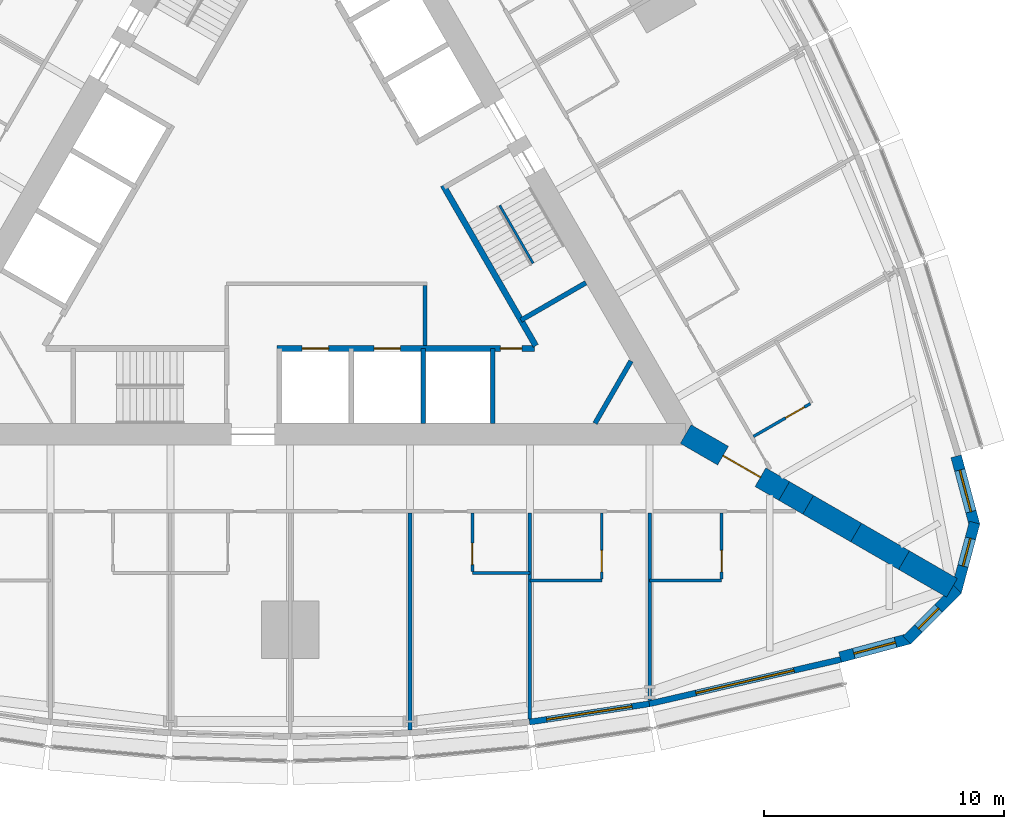
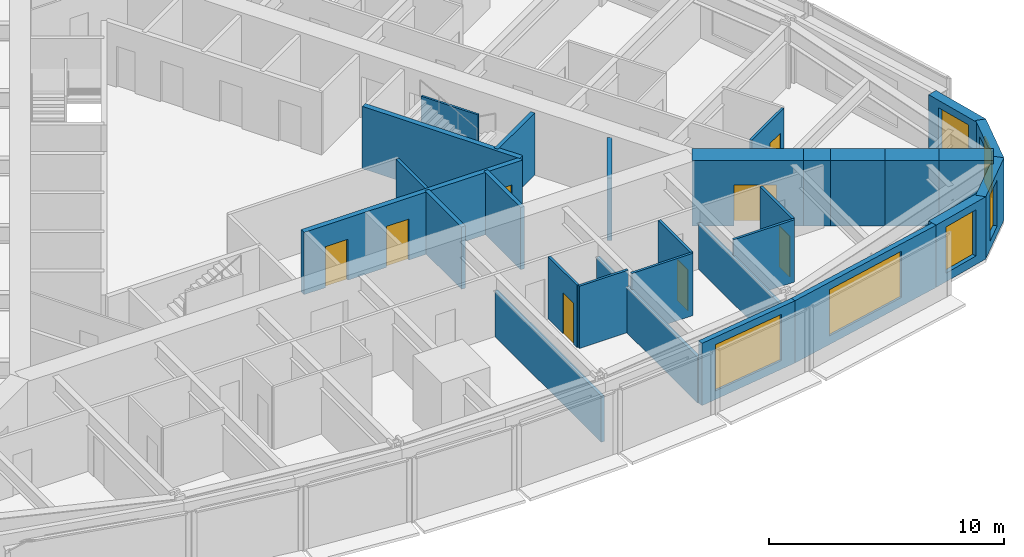
# One storey, part 10 of 14: 29 walls, 8 doors, 6 windows, 14 openings.
"""IFC4 building model written with IfcOpenShell, lengths in metres."""

from ifc_helpers import new_model, si_unit, direction, frame, frame_2d, origin, place, context, subcontext, project, spatial, polyline, rectangle, outline, extrude, material, layer, layer_set, type_object, element, fill, save


model = new_model("IFC4")

# Units and contexts
model_context = context("Model", 3, precision=1e-05, world=origin(), true_north=direction((0.0, 1.0)))
body_context = subcontext(model_context, "Body", "Model", "MODEL_VIEW")
ifc_project = project(units=[si_unit("LENGTHUNIT", "METRE"), si_unit("AREAUNIT", "SQUARE_METRE"), si_unit("VOLUMEUNIT", "CUBIC_METRE"), si_unit("PLANEANGLEUNIT", "RADIAN"), si_unit("MASSUNIT", "GRAM", prefix="KILO")], contexts=[model_context])

# Site, building, storey
site_placement = place(None, origin())
site = spatial("IfcSite", under=ifc_project, at=site_placement, CompositionType="ELEMENT")
building_placement = place(site_placement, origin())
building = spatial("IfcBuilding", under=site, at=building_placement, Name="Trikona Tower", CompositionType="ELEMENT")
storey_placement = place(building_placement, frame((0.0, 0.0, 35.300048828125)))
storey = spatial("IfcBuildingStorey", under=building, at=storey_placement, Name="L07", CompositionType="ELEMENT", Elevation=35.300048828125)

# Wall
ifc_material_1 = material(Name="Metal stud and cement board", Category="gypsum")
ifc_layer_1 = layer(ifc_material_1, 0.1201171875)
ifc_layer_set_1 = layer_set([ifc_layer_1], Name="Bathroom wall 120")
wall_type_1 = type_object("IfcWallType", Name="Bathroom wall 120", PredefinedType="PLUMBINGWALL", material=ifc_layer_set_1)
wall_1_placement = place(storey_placement, frame((7.60009765625, -15.326416015625, 0.0), z_axis=(0.0, 0.0, 1.0), x_axis=(1.0, 0.0, 0.0)))
element("IfcWall", 1, at=wall_1_placement, inside=storey, type_object=wall_type_1, Name="Bathroom wall 0704", PredefinedType="PLUMBINGWALL", context=body_context, shape_type="SweptSolid", body=[
    extrude(rectangle(XDim=2.39990234375, YDim=0.1201171875, at=frame_2d((1.199951171875, 0.0))), origin(), (0.0, 0.0, 1.0), 3.23486328125),
])

# Wall, opening, door
wall_2_placement = place(storey_placement, frame((7.60009765625, -12.826416015625, 0.0), z_axis=(0.0, 0.0, 1.0), x_axis=(0.0, -1.0, 0.0)))
wall_2 = element("IfcWall", 2, at=wall_2_placement, inside=storey, type_object=wall_type_1, Name="Bathroom wall 0704", PredefinedType="PLUMBINGWALL", context=body_context, shape_type="SweptSolid", body=[
    extrude(rectangle(XDim=2.43994140625, YDim=0.1201171875, at=frame_2d((1.219970703125, 0.0))), origin(), (0.0, 0.0, 1.0), 3.23486328125),
])
opening_1_placement = place(wall_2_placement, frame((1.25, 0.0, 0.0)))
opening_1 = element("IfcOpeningElement", 3, at=opening_1_placement, cuts=wall_2, Name="Opening D2", PredefinedType="OPENING", context=body_context, shape_type="SweptSolid", body=[
    extrude(rectangle(XDim=0.89990234375, YDim=2.1298828125, at=frame_2d((0.449951171875, 1.06494140625))), frame((0.0, 0.070068359375, 0.0), z_axis=(0.0, -1.0, 0.0), x_axis=(1.0, 0.0, 0.0)), (0.0, 0.0, 1.0), 0.14013671875),
])
ifc_material_2 = material(Name="Steel door frame with solid-core timber leaf", Category="steel")
door_type_1 = type_object("IfcDoorType", Name="Bathroom door 900x2130", OperationType="SLIDING_TO_LEFT", PredefinedType="DOOR", material=ifc_material_2)
door_1_placement = place(opening_1_placement, origin())
door_1 = element("IfcDoor", 4, at=door_1_placement, inside=storey, type_object=door_type_1, Name="Bathroom door 0704", OperationType="SLIDING_TO_LEFT", OverallHeight=2.1298828125, OverallWidth=0.89990234375, PredefinedType="DOOR", context=body_context, shape_type="SweptSolid", body=[
    extrude(rectangle(XDim=0.89990234375, YDim=2.1298828125, at=frame_2d((0.449951171875, 1.06494140625))), frame((0.0, 0.02490234375, 0.0), z_axis=(0.0, -1.0, 0.0), x_axis=(1.0, 0.0, 0.0)), (0.0, 0.0, 1.0), 0.050048828125),
])
fill(opening_1, door_1)

# Wall
wall_3_placement = place(storey_placement, frame((10.0, -15.626220703125, 0.0), z_axis=(0.0, 0.0, 1.0), x_axis=(1.0, 0.0, 0.0)))
element("IfcWall", 5, at=wall_3_placement, inside=storey, type_object=wall_type_1, Name="Bathroom wall 0705", PredefinedType="PLUMBINGWALL", context=body_context, shape_type="SweptSolid", body=[
    extrude(rectangle(XDim=3.0, YDim=0.1201171875, at=frame_2d((1.5, 0.0))), origin(), (0.0, 0.0, 1.0), 3.23486328125),
])

# Wall, opening, door
wall_4_placement = place(storey_placement, frame((13.0, -12.826416015625, 0.0), z_axis=(0.0, 0.0, 1.0), x_axis=(0.0, -1.0, 0.0)))
wall_4 = element("IfcWall", 6, at=wall_4_placement, inside=storey, type_object=wall_type_1, Name="Bathroom wall 0705", PredefinedType="PLUMBINGWALL", context=body_context, shape_type="SweptSolid", body=[
    extrude(rectangle(XDim=2.739990234375, YDim=0.1201171875, at=frame_2d((1.3701171875, 0.0))), origin(), (0.0, 0.0, 1.0), 3.23486328125),
])
opening_2_placement = place(wall_4_placement, frame((1.550048828125, 0.0, 0.0)))
opening_2 = element("IfcOpeningElement", 7, at=opening_2_placement, cuts=wall_4, Name="Opening D2", PredefinedType="OPENING", context=body_context, shape_type="SweptSolid", body=[
    extrude(rectangle(XDim=0.89990234375, YDim=2.1298828125, at=frame_2d((0.449951171875, 1.06494140625))), frame((0.0, 0.070068359375, 0.0), z_axis=(0.0, -1.0, 0.0), x_axis=(1.0, 0.0, 0.0)), (0.0, 0.0, 1.0), 0.14013671875),
])
door_2_placement = place(opening_2_placement, origin())
door_2 = element("IfcDoor", 8, at=door_2_placement, inside=storey, type_object=door_type_1, Name="Bathroom door 0705", OperationType="SLIDING_TO_LEFT", OverallHeight=2.1298828125, OverallWidth=0.89990234375, PredefinedType="DOOR", context=body_context, shape_type="SweptSolid", body=[
    extrude(rectangle(XDim=0.89990234375, YDim=2.1298828125, at=frame_2d((0.449951171875, 1.06494140625))), frame((0.0, 0.02490234375, 0.0), z_axis=(0.0, -1.0, 0.0), x_axis=(1.0, 0.0, 0.0)), (0.0, 0.0, 1.0), 0.050048828125),
])
fill(opening_2, door_2)

# Wall
wall_5_placement = place(storey_placement, frame((15.0, -15.626220703125, 0.0), z_axis=(0.0, 0.0, 1.0), x_axis=(1.0, 0.0, 0.0)))
element("IfcWall", 9, at=wall_5_placement, inside=storey, type_object=wall_type_1, Name="Bathroom wall 0706", PredefinedType="PLUMBINGWALL", context=body_context, shape_type="SweptSolid", body=[
    extrude(rectangle(XDim=3.0, YDim=0.1201171875, at=frame_2d((1.5, 0.0))), origin(), (0.0, 0.0, 1.0), 3.23486328125),
])

# Wall, opening, door
wall_6_placement = place(storey_placement, frame((18.0, -12.826416015625, 0.0), z_axis=(0.0, 0.0, 1.0), x_axis=(0.0, -1.0, 0.0)))
wall_6 = element("IfcWall", 10, at=wall_6_placement, inside=storey, type_object=wall_type_1, Name="Bathroom wall 0706", PredefinedType="PLUMBINGWALL", context=body_context, shape_type="SweptSolid", body=[
    extrude(rectangle(XDim=2.739990234375, YDim=0.1201171875, at=frame_2d((1.3701171875, 0.0))), origin(), (0.0, 0.0, 1.0), 3.23486328125),
])
opening_3_placement = place(wall_6_placement, frame((1.550048828125, 0.0, 0.0)))
opening_3 = element("IfcOpeningElement", 11, at=opening_3_placement, cuts=wall_6, Name="Opening D2", PredefinedType="OPENING", context=body_context, shape_type="SweptSolid", body=[
    extrude(rectangle(XDim=0.89990234375, YDim=2.1298828125, at=frame_2d((0.449951171875, 1.06494140625))), frame((0.0, 0.070068359375, 0.0), z_axis=(0.0, -1.0, 0.0), x_axis=(1.0, 0.0, 0.0)), (0.0, 0.0, 1.0), 0.14013671875),
])
door_3_placement = place(opening_3_placement, origin())
door_3 = element("IfcDoor", 12, at=door_3_placement, inside=storey, type_object=door_type_1, Name="Bathroom door 0706", OperationType="SLIDING_TO_LEFT", OverallHeight=2.1298828125, OverallWidth=0.89990234375, PredefinedType="DOOR", context=body_context, shape_type="SweptSolid", body=[
    extrude(rectangle(XDim=0.89990234375, YDim=2.1298828125, at=frame_2d((0.449951171875, 1.06494140625))), frame((0.0, 0.02490234375, 0.0), z_axis=(0.0, -1.0, 0.0), x_axis=(1.0, 0.0, 0.0)), (0.0, 0.0, 1.0), 0.050048828125),
])
fill(opening_3, door_3)

wall_7_placement = place(storey_placement, frame((19.32861328125, -9.625244140625, 0.0), z_axis=(0.0, 0.0, 1.0), x_axis=(0.866035715982, 0.499982138324, 0.0)))
wall_7 = element("IfcWall", 13, at=wall_7_placement, inside=storey, type_object=wall_type_1, Name="Bathroom wall 0707", PredefinedType="PLUMBINGWALL", context=body_context, shape_type="SweptSolid", body=[
    extrude(rectangle(XDim=2.73974609375, YDim=0.1201171875, at=frame_2d((1.369873046875, 0.0))), origin(), (0.0, 0.0, 1.0), 3.23486328125),
])
opening_4_placement = place(wall_7_placement, frame((1.550048828125, 0.0, 0.0)))
opening_4 = element("IfcOpeningElement", 14, at=opening_4_placement, cuts=wall_7, Name="Opening D2", PredefinedType="OPENING", context=body_context, shape_type="SweptSolid", body=[
    extrude(rectangle(XDim=0.89990234375, YDim=2.1298828125, at=frame_2d((0.449951171875, 1.06494140625))), frame((0.0, 0.070068359375, 0.0), z_axis=(0.0, -1.0, 0.0), x_axis=(1.0, 0.0, 0.0)), (0.0, 0.0, 1.0), 0.14013671875),
])
door_4_placement = place(opening_4_placement, origin())
door_4 = element("IfcDoor", 15, at=door_4_placement, inside=storey, type_object=door_type_1, Name="Bathroom door 0707", OperationType="SLIDING_TO_LEFT", OverallHeight=2.1298828125, OverallWidth=0.89990234375, PredefinedType="DOOR", context=body_context, shape_type="SweptSolid", body=[
    extrude(rectangle(XDim=0.89990234375, YDim=2.1298828125, at=frame_2d((0.449951171875, 1.06494140625))), frame((0.0, 0.02490234375, 0.0), z_axis=(0.0, -1.0, 0.0), x_axis=(1.0, 0.0, 0.0)), (0.0, 0.0, 1.0), 0.050048828125),
])
fill(opening_4, door_4)

# Wall, opening, window
ifc_material_3 = material(Name="Brick-faced precast concrete", Category="masonry")
ifc_layer_2 = layer(ifc_material_3, 0.449951171875)
ifc_layer_set_2 = layer_set([ifc_layer_2], Name="Brick-faced corner wall 450")
wall_type_2 = type_object("IfcWallType", Name="Brick-faced corner wall 450", PredefinedType="SOLIDWALL", material=ifc_layer_set_2)
wall_8_placement = place(storey_placement, frame((22.94189453125, -18.835205078125, 0.0), z_axis=(0.0, 0.0, 1.0), x_axis=(0.965930548995, 0.258801419081, 0.0)))
wall_8 = element("IfcWall", 16, at=wall_8_placement, inside=storey, type_object=wall_type_2, Name="External wall L07-08", PredefinedType="SOLIDWALL", context=body_context, shape_type="SweptSolid", body=[
    extrude(rectangle(XDim=2.988525390625, YDim=0.449951171875, at=frame_2d((1.494140625, 0.0))), origin(), (0.0, 0.0, 1.0), 3.23486328125),
])
opening_5_placement = place(wall_8_placement, frame((0.59423828125, 0.0, 0.449951171875)))
opening_5 = element("IfcOpeningElement", 17, at=opening_5_placement, cuts=wall_8, Name="Opening W1824", PredefinedType="OPENING", context=body_context, shape_type="SweptSolid", body=[
    extrude(rectangle(XDim=1.800048828125, YDim=2.39990234375, at=frame_2d((0.89990234375, 1.199951171875))), frame((0.0, 0.23486328125, 0.0), z_axis=(0.0, -1.0, 0.0), x_axis=(1.0, 0.0, 0.0)), (0.0, 0.0, 1.0), 0.469970703125),
])
ifc_material_4 = material(Name="Aluminium-framed double glazing", Category="aluminium")
window_type_1 = type_object("IfcWindowType", Name="Window 1800x2400", PartitioningType="SINGLE_PANEL", PredefinedType="WINDOW", material=ifc_material_4)
window_1_placement = place(opening_5_placement, origin())
window_1 = element("IfcWindow", 18, at=window_1_placement, inside=storey, type_object=window_type_1, Name="Window 0706", OverallHeight=2.39990234375, OverallWidth=1.800048828125, PartitioningType="SINGLE_PANEL", PredefinedType="WINDOW", context=body_context, shape_type="SweptSolid", body=[
    extrude(rectangle(XDim=1.800048828125, YDim=2.39990234375, at=frame_2d((0.89990234375, 1.199951171875))), frame((0.0, 0.030029296875, 0.0), z_axis=(0.0, -1.0, 0.0), x_axis=(1.0, 0.0, 0.0)), (0.0, 0.0, 1.0), 0.06005859375),
])
fill(opening_5, window_1)

wall_9_placement = place(storey_placement, frame((25.727783203125, -18.1201171875, 0.0), z_axis=(0.0, 0.0, 1.0), x_axis=(0.707025086683, 0.707188466253, 0.0)))
wall_9 = element("IfcWall", 19, at=wall_9_placement, inside=storey, type_object=wall_type_2, Name="External wall L07-09", PredefinedType="SOLIDWALL", context=body_context, shape_type="SweptSolid", body=[
    extrude(outline(polyline([(2.988525390625, 0.22509765625), (2.929931640625, 0.22509765625), (2.4375, 0.093017578125), (2.402099609375, 0.22509765625), (0.0, 0.22509765625), (0.0, -0.22509765625), (2.988525390625, -0.22509765625), (2.988525390625, 0.22509765625)])), origin(), (0.0, 0.0, 1.0), 3.23486328125),
])
opening_6_placement = place(wall_9_placement, frame((0.676025390625, 0.0, 0.449951171875)))
opening_6 = element("IfcOpeningElement", 20, at=opening_6_placement, cuts=wall_9, Name="Opening W1224", PredefinedType="OPENING", context=body_context, shape_type="SweptSolid", body=[
    extrude(rectangle(XDim=1.199951171875, YDim=2.39990234375, at=frame_2d((0.60009765625, 1.199951171875))), frame((0.0, 0.23486328125, 0.0), z_axis=(0.0, -1.0, 0.0), x_axis=(1.0, 0.0, 0.0)), (0.0, 0.0, 1.0), 0.469970703125),
])
ifc_material_5 = material(Name="Aluminium-framed double glazing", Category="aluminium")
window_type_2 = type_object("IfcWindowType", Name="Window 1200x2400", PartitioningType="SINGLE_PANEL", PredefinedType="WINDOW", material=ifc_material_5)
window_2_placement = place(opening_6_placement, origin())
window_2 = element("IfcWindow", 21, at=window_2_placement, inside=storey, type_object=window_type_2, Name="Window 0706", OverallHeight=2.39990234375, OverallWidth=1.199951171875, PartitioningType="SINGLE_PANEL", PredefinedType="WINDOW", context=body_context, shape_type="SweptSolid", body=[
    extrude(rectangle(XDim=1.199951171875, YDim=2.39990234375, at=frame_2d((0.60009765625, 1.199951171875))), frame((0.0, 0.030029296875, 0.0), z_axis=(0.0, -1.0, 0.0), x_axis=(1.0, 0.0, 0.0)), (0.0, 0.0, 1.0), 0.06005859375),
])
fill(opening_6, window_2)

wall_10_placement = place(storey_placement, frame((27.78271484375, -16.107666015625, 0.0), z_axis=(0.0, 0.0, 1.0), x_axis=(0.258801419081, 0.965930548995, 0.0)))
wall_10 = element("IfcWall", 22, at=wall_10_placement, inside=storey, type_object=wall_type_2, Name="External wall L07-10", PredefinedType="SOLIDWALL", context=body_context, shape_type="SweptSolid", body=[
    extrude(outline(polyline([(2.988525390625, 0.22509765625), (0.58642578125, 0.22509765625), (0.55126953125, 0.09326171875), (0.0595703125, 0.22509765625), (0.0, 0.22509765625), (0.0, -0.22509765625), (2.988525390625, -0.22509765625), (2.988525390625, 0.22509765625)])), origin(), (0.0, 0.0, 1.0), 3.23486328125),
])
opening_7_placement = place(wall_10_placement, frame((1.112548828125, 0.0, 0.449951171875)))
opening_7 = element("IfcOpeningElement", 23, at=opening_7_placement, cuts=wall_10, Name="Opening W1224", PredefinedType="OPENING", context=body_context, shape_type="SweptSolid", body=[
    extrude(rectangle(XDim=1.199951171875, YDim=2.39990234375, at=frame_2d((0.60009765625, 1.199951171875))), frame((0.0, 0.23486328125, 0.0), z_axis=(0.0, -1.0, 0.0), x_axis=(1.0, 0.0, 0.0)), (0.0, 0.0, 1.0), 0.469970703125),
])
window_3_placement = place(opening_7_placement, origin())
window_3 = element("IfcWindow", 24, at=window_3_placement, inside=storey, type_object=window_type_2, Name="Window 0707", OverallHeight=2.39990234375, OverallWidth=1.199951171875, PartitioningType="SINGLE_PANEL", PredefinedType="WINDOW", context=body_context, shape_type="SweptSolid", body=[
    extrude(rectangle(XDim=1.199951171875, YDim=2.39990234375, at=frame_2d((0.60009765625, 1.199951171875))), frame((0.0, 0.030029296875, 0.0), z_axis=(0.0, -1.0, 0.0), x_axis=(1.0, 0.0, 0.0)), (0.0, 0.0, 1.0), 0.06005859375),
])
fill(opening_7, window_3)

wall_11_placement = place(storey_placement, frame((28.55615234375, -13.33740234375, 0.0), z_axis=(0.0, 0.0, 1.0), x_axis=(-0.258780998834, 0.965936019953, 0.0)))
wall_11 = element("IfcWall", 25, at=wall_11_placement, inside=storey, type_object=wall_type_2, Name="External wall L07-11", PredefinedType="SOLIDWALL", context=body_context, shape_type="SweptSolid", body=[
    extrude(rectangle(XDim=2.98876953125, YDim=0.449951171875, at=frame_2d((1.494384765625, 0.0))), origin(), (0.0, 0.0, 1.0), 3.23486328125),
])
opening_8_placement = place(wall_11_placement, frame((0.59423828125, 0.0, 0.449951171875)))
opening_8 = element("IfcOpeningElement", 26, at=opening_8_placement, cuts=wall_11, Name="Opening W1824", PredefinedType="OPENING", context=body_context, shape_type="SweptSolid", body=[
    extrude(rectangle(XDim=1.800048828125, YDim=2.39990234375, at=frame_2d((0.89990234375, 1.199951171875))), frame((0.0, 0.23486328125, 0.0), z_axis=(0.0, -1.0, 0.0), x_axis=(1.0, 0.0, 0.0)), (0.0, 0.0, 1.0), 0.469970703125),
])
window_4_placement = place(opening_8_placement, origin())
window_4 = element("IfcWindow", 27, at=window_4_placement, inside=storey, type_object=window_type_1, Name="Window 0707", OverallHeight=2.39990234375, OverallWidth=1.800048828125, PartitioningType="SINGLE_PANEL", PredefinedType="WINDOW", context=body_context, shape_type="SweptSolid", body=[
    extrude(rectangle(XDim=1.800048828125, YDim=2.39990234375, at=frame_2d((0.89990234375, 1.199951171875))), frame((0.0, 0.030029296875, 0.0), z_axis=(0.0, -1.0, 0.0), x_axis=(1.0, 0.0, 0.0)), (0.0, 0.0, 1.0), 0.06005859375),
])
fill(opening_8, window_4)

# Wall, opening, door
ifc_material_6 = material(Name="Concrete f'c 10000 psi", Category="concrete")
ifc_layer_3 = layer(ifc_material_6, 0.89990234375)
ifc_layer_set_3 = layer_set([ifc_layer_3], Name="Buttress wall 900")
wall_type_3 = type_object("IfcWallType", Name="Buttress wall 900", PredefinedType="SHEAR", material=ifc_layer_set_3)
wall_12_placement = place(storey_placement, frame((16.5, -9.5263671875, 0.0), z_axis=(0.0, 0.0, 1.0), x_axis=(0.866031398331, -0.499989616998, 0.0)))
wall_12 = element("IfcWall", 28, at=wall_12_placement, inside=storey, type_object=wall_type_3, Name="Buttress wall 1", PredefinedType="SHEAR", context=body_context, shape_type="SweptSolid", body=[
    extrude(rectangle(XDim=4.74609375, YDim=0.89990234375, at=frame_2d((2.373046875, 0.0))), origin(), (0.0, 0.0, 1.0), 3.39990234375),
])
opening_9_placement = place(wall_12_placement, frame((1.800048828125, 0.0, 0.0)))
opening_9 = element("IfcOpeningElement", 29, at=opening_9_placement, cuts=wall_12, Name="Opening D10", PredefinedType="OPENING", context=body_context, shape_type="SweptSolid", body=[
    extrude(rectangle(XDim=1.800048828125, YDim=2.1298828125, at=frame_2d((0.89990234375, 1.06494140625))), frame((0.0, 0.4599609375, 0.0), z_axis=(0.0, -1.0, 0.0), x_axis=(1.0, 0.0, 0.0)), (0.0, 0.0, 1.0), 0.919921875),
])
ifc_material_7 = material(Name="Hollow metal door and frame", Category="steel")
door_type_2 = type_object("IfcDoorType", Name="Cross-corridor door pair 1800x2130", OperationType="DOUBLE_DOOR_DOUBLE_SWING", PredefinedType="DOOR", material=ifc_material_7)
door_5_placement = place(opening_9_placement, origin())
door_5 = element("IfcDoor", 30, at=door_5_placement, inside=storey, type_object=door_type_2, Name="Cross-corridor door 1", OperationType="DOUBLE_DOOR_DOUBLE_SWING", OverallHeight=2.1298828125, OverallWidth=1.800048828125, PredefinedType="DOOR", context=body_context, shape_type="SweptSolid", body=[
    extrude(rectangle(XDim=1.800048828125, YDim=2.1298828125, at=frame_2d((0.89990234375, 1.06494140625))), frame((0.0, 0.02490234375, 0.0), z_axis=(0.0, -1.0, 0.0), x_axis=(1.0, 0.0, 0.0)), (0.0, 0.0, 1.0), 0.050048828125),
])
fill(opening_9, door_5)

# Walls
wall_13_placement = place(storey_placement, frame((20.6103515625, -11.8994140625, 0.0), z_axis=(0.0, 0.0, 1.0), x_axis=(0.866009537788, -0.500027479704, 0.0)))
element("IfcWall", 31, at=wall_13_placement, inside=storey, type_object=wall_type_3, Name="Buttress wall 1 part 2", PredefinedType="SHEAR", context=body_context, shape_type="SweptSolid", body=[
    extrude(rectangle(XDim=1.15478515625, YDim=0.89990234375, at=frame_2d((0.577392578125, 0.0))), origin(), (0.0, 0.0, 1.0), 3.39990234375),
])
for number, where, z_axis, x_axis, name in (
    (32, (21.6103515625, -12.476806640625, 0.0), (0.0, 0.0, 1.0), (0.866055313784, -0.499948190782, 0.0), "Buttress wall 1 part 3"),
    (33, (23.6103515625, -13.63134765625, 0.0), (0.0, 0.0, 1.0), (0.866009537788, -0.500027479704, 0.0), "Buttress wall 1 part 4"),
    (34, (25.6103515625, -14.7861328125, 0.0), (0.0, 0.0, 1.0), (0.866009537788, -0.500027479704, 0.0), "Buttress wall 1 part 5"),
):
    element("IfcWall", number, at=place(storey_placement, frame(where, z_axis=z_axis, x_axis=x_axis)), inside=storey, type_object=wall_type_3, Name=name, PredefinedType="SHEAR", context=body_context, shape_type="SweptSolid", body=[
        extrude(rectangle(XDim=2.309326171875, YDim=0.89990234375, at=frame_2d((1.15478515625, 0.0))), origin(), (0.0, 0.0, 1.0), 3.39990234375),
    ])

# Wall, openings, doors
ifc_material_8 = material(Name="Concrete f'c 8000 psi", Category="concrete")
ifc_layer_4 = layer(ifc_material_8, 0.25)
ifc_layer_set_4 = layer_set([ifc_layer_4], Name="Hub wall 250")
wall_type_4 = type_object("IfcWallType", Name="Hub wall 250", PredefinedType="SOLIDWALL", material=ifc_layer_set_4)
wall_14_placement = place(storey_placement, frame((-0.550048828125, -5.951416015625, 0.0), z_axis=(0.0, 0.0, 1.0), x_axis=(1.0, 0.0, 0.0)))
wall_14 = element("IfcWall", 35, at=wall_14_placement, inside=storey, type_object=wall_type_4, Name="Lift lobby wall A2", PredefinedType="SOLIDWALL", context=body_context, shape_type="SweptSolid", body=[
    extrude(rectangle(XDim=10.73291015625, YDim=0.25, at=frame_2d((5.366455078125, 0.0))), origin(), (0.0, 0.0, 1.0), 3.23486328125),
])
opening_10_placement = place(wall_14_placement, frame((9.31396484375, 0.0, 0.0)))
opening_10 = element("IfcOpeningElement", 36, at=opening_10_placement, cuts=wall_14, Name="Opening D14", PredefinedType="OPENING", context=body_context, shape_type="SweptSolid", body=[
    extrude(rectangle(XDim=0.89990234375, YDim=2.1298828125, at=frame_2d((0.449951171875, 1.06494140625))), frame((0.0, 0.135009765625, 0.0), z_axis=(0.0, -1.0, 0.0), x_axis=(1.0, 0.0, 0.0)), (0.0, 0.0, 1.0), 0.27001953125),
])
opening_11_placement = place(wall_14_placement, frame((1.050048828125, 0.0, 0.0)))
opening_11 = element("IfcOpeningElement", 37, at=opening_11_placement, cuts=wall_14, Name="Opening LD", PredefinedType="OPENING", context=body_context, shape_type="SweptSolid", body=[
    extrude(rectangle(XDim=1.10009765625, YDim=2.1298828125, at=frame_2d((0.550048828125, 1.06494140625))), frame((0.0, 0.135009765625, 0.0), z_axis=(0.0, -1.0, 0.0), x_axis=(1.0, 0.0, 0.0)), (0.0, 0.0, 1.0), 0.27001953125),
])
opening_12_placement = place(wall_14_placement, frame((4.050048828125, 0.0, 0.0)))
opening_12 = element("IfcOpeningElement", 38, at=opening_12_placement, cuts=wall_14, Name="Opening LD", PredefinedType="OPENING", context=body_context, shape_type="SweptSolid", body=[
    extrude(rectangle(XDim=1.10009765625, YDim=2.1298828125, at=frame_2d((0.550048828125, 1.06494140625))), frame((0.0, 0.135009765625, 0.0), z_axis=(0.0, -1.0, 0.0), x_axis=(1.0, 0.0, 0.0)), (0.0, 0.0, 1.0), 0.27001953125),
])
ifc_material_9 = material(Name="Stainless steel lift landing door", Category="steel")
door_type_3 = type_object("IfcDoorType", Name="Lift landing door 1100x2130", OperationType="DOUBLE_DOOR_SLIDING", PredefinedType="USERDEFINED", material=ifc_material_9)
door_6_placement = place(opening_11_placement, origin())
door_6 = element("IfcDoor", 39, at=door_6_placement, inside=storey, type_object=door_type_3, Name="Lift landing door FF1", ObjectType="LIFT LANDING DOOR", OperationType="DOUBLE_DOOR_SLIDING", OverallHeight=2.1298828125, OverallWidth=1.10009765625, PredefinedType="USERDEFINED", context=body_context, shape_type="SweptSolid", body=[
    extrude(rectangle(XDim=1.10009765625, YDim=2.1298828125, at=frame_2d((0.550048828125, 1.06494140625))), frame((0.0, 0.02490234375, 0.0), z_axis=(0.0, -1.0, 0.0), x_axis=(1.0, 0.0, 0.0)), (0.0, 0.0, 1.0), 0.050048828125),
])
fill(opening_11, door_6)
door_7_placement = place(opening_12_placement, origin())
door_7 = element("IfcDoor", 40, at=door_7_placement, inside=storey, type_object=door_type_3, Name="Lift landing door FF2", ObjectType="LIFT LANDING DOOR", OperationType="DOUBLE_DOOR_SLIDING", OverallHeight=2.1298828125, OverallWidth=1.10009765625, PredefinedType="USERDEFINED", context=body_context, shape_type="SweptSolid", body=[
    extrude(rectangle(XDim=1.10009765625, YDim=2.1298828125, at=frame_2d((0.550048828125, 1.06494140625))), frame((0.0, 0.02490234375, 0.0), z_axis=(0.0, -1.0, 0.0), x_axis=(1.0, 0.0, 0.0)), (0.0, 0.0, 1.0), 0.050048828125),
])
fill(opening_12, door_7)
ifc_material_10 = material(Name="Hollow metal door and frame", Category="steel")
door_type_4 = type_object("IfcDoorType", Name="Service room door 900x2130", OperationType="SINGLE_SWING_LEFT", PredefinedType="DOOR", material=ifc_material_10)
door_8_placement = place(opening_10_placement, origin())
door_8 = element("IfcDoor", 41, at=door_8_placement, inside=storey, type_object=door_type_4, Name="Door Linen store LIN", OperationType="SINGLE_SWING_RIGHT", OverallHeight=2.1298828125, OverallWidth=0.89990234375, PredefinedType="DOOR", context=body_context, shape_type="SweptSolid", body=[
    extrude(rectangle(XDim=0.89990234375, YDim=2.1298828125, at=frame_2d((0.449951171875, 1.06494140625))), frame((0.0, 0.02490234375, 0.0), z_axis=(0.0, -1.0, 0.0), x_axis=(1.0, 0.0, 0.0)), (0.0, 0.0, 1.0), 0.050048828125),
])
fill(opening_10, door_8)

# Wall
wall_15_placement = place(storey_placement, frame((10.245361328125, -5.843017578125, 0.0), z_axis=(0.0, 0.0, 1.0), x_axis=(-0.499993009313, 0.866029439822, 0.0)))
element("IfcWall", 42, at=wall_15_placement, inside=storey, type_object=wall_type_4, Name="Lift lobby wall B1", PredefinedType="SOLIDWALL", context=body_context, shape_type="SweptSolid", body=[
    extrude(rectangle(XDim=7.73291015625, YDim=0.25, at=frame_2d((3.866455078125, 0.0))), origin(), (0.0, 0.0, 1.0), 3.23486328125),
])

# Wall, opening, window
ifc_material_11 = material(Name="Insulated precast concrete spandrel panel", Category="concrete")
ifc_layer_5 = layer(ifc_material_11, 0.25)
ifc_layer_set_5 = layer_set([ifc_layer_5], Name="Inner skin wall 250")
wall_type_5 = type_object("IfcWallType", Name="Inner skin wall 250", PredefinedType="STANDARD", material=ifc_layer_set_5)
wall_16_placement = place(storey_placement, frame((9.981201171875, -21.540283203125, 0.0), z_axis=(0.0, 0.0, 1.0), x_axis=(0.988615403399, 0.150464561152, 0.0)))
wall_16 = element("IfcWall", 43, at=wall_16_placement, inside=storey, type_object=wall_type_5, Name="External wall L07-06", PredefinedType="STANDARD", context=body_context, shape_type="SweptSolid", body=[
    extrude(rectangle(XDim=5.0576171875, YDim=0.25, at=frame_2d((2.52880859375, 0.0))), origin(), (0.0, 0.0, 1.0), 3.23486328125),
])
opening_13_placement = place(wall_16_placement, frame((0.728759765625, 0.0, 0.449951171875)))
opening_13 = element("IfcOpeningElement", 44, at=opening_13_placement, cuts=wall_16, Name="Opening W3624", PredefinedType="OPENING", context=body_context, shape_type="SweptSolid", body=[
    extrude(rectangle(XDim=3.60009765625, YDim=2.39990234375, at=frame_2d((1.800048828125, 1.199951171875))), frame((0.0, 0.135009765625, 0.0), z_axis=(0.0, -1.0, 0.0), x_axis=(1.0, 0.0, 0.0)), (0.0, 0.0, 1.0), 0.27001953125),
])
ifc_material_12 = material(Name="Aluminium-framed double glazing", Category="aluminium")
window_type_3 = type_object("IfcWindowType", Name="Window 3600x2400", PartitioningType="SINGLE_PANEL", PredefinedType="WINDOW", material=ifc_material_12)
window_5_placement = place(opening_13_placement, origin())
window_5 = element("IfcWindow", 45, at=window_5_placement, inside=storey, type_object=window_type_3, Name="Window 0705", OverallHeight=2.39990234375, OverallWidth=3.60009765625, PartitioningType="SINGLE_PANEL", PredefinedType="WINDOW", context=body_context, shape_type="SweptSolid", body=[
    extrude(rectangle(XDim=3.60009765625, YDim=2.39990234375, at=frame_2d((1.800048828125, 1.199951171875))), frame((0.0, 0.030029296875, 0.0), z_axis=(0.0, -1.0, 0.0), x_axis=(1.0, 0.0, 0.0)), (0.0, 0.0, 1.0), 0.06005859375),
])
fill(opening_13, window_5)

wall_17_placement = place(storey_placement, frame((14.9716796875, -20.78125, 0.0), z_axis=(0.0, 0.0, 1.0), x_axis=(0.974279327392, 0.225343720163, 0.0)))
wall_17 = element("IfcWall", 46, at=wall_17_placement, inside=storey, type_object=wall_type_5, Name="External wall L07-07", PredefinedType="STANDARD", context=body_context, shape_type="SweptSolid", body=[
    extrude(rectangle(XDim=8.211181640625, YDim=0.25, at=frame_2d((4.10546875, 0.0))), origin(), (0.0, 0.0, 1.0), 3.23486328125),
])
opening_14_placement = place(wall_17_placement, frame((2.005615234375, 0.0, 0.449951171875)))
opening_14 = element("IfcOpeningElement", 47, at=opening_14_placement, cuts=wall_17, Name="Opening W4224", PredefinedType="OPENING", context=body_context, shape_type="SweptSolid", body=[
    extrude(rectangle(XDim=4.199951171875, YDim=2.39990234375, at=frame_2d((2.10009765625, 1.199951171875))), frame((0.0, 0.135009765625, 0.0), z_axis=(0.0, -1.0, 0.0), x_axis=(1.0, 0.0, 0.0)), (0.0, 0.0, 1.0), 0.27001953125),
])
ifc_material_13 = material(Name="Aluminium-framed double glazing", Category="aluminium")
window_type_4 = type_object("IfcWindowType", Name="Window 4200x2400", PartitioningType="SINGLE_PANEL", PredefinedType="WINDOW", material=ifc_material_13)
window_6_placement = place(opening_14_placement, origin())
window_6 = element("IfcWindow", 48, at=window_6_placement, inside=storey, type_object=window_type_4, Name="Window 0706", OverallHeight=2.39990234375, OverallWidth=4.199951171875, PartitioningType="SINGLE_PANEL", PredefinedType="WINDOW", context=body_context, shape_type="SweptSolid", body=[
    extrude(rectangle(XDim=4.199951171875, YDim=2.39990234375, at=frame_2d((2.10009765625, 1.199951171875))), frame((0.0, 0.030029296875, 0.0), z_axis=(0.0, -1.0, 0.0), x_axis=(1.0, 0.0, 0.0)), (0.0, 0.0, 1.0), 0.06005859375),
])
fill(opening_14, window_6)

# Walls
ifc_material_14 = material(Name="Metal stud and gypsum board, 2-hour shaft wall", Category="gypsum")
ifc_layer_6 = layer(ifc_material_14, 0.14990234375)
ifc_layer_set_6 = layer_set([ifc_layer_6], Name="Lobby wall 150")
wall_type_6 = type_object("IfcWallType", Name="Lobby wall 150", PredefinedType="PARTITIONING", material=ifc_layer_set_6)
wall_18_placement = place(storey_placement, frame((5.625, -5.826416015625, 0.0), z_axis=(0.0, 0.0, 1.0), x_axis=(0.0, 1.0, 0.0)))
element("IfcWall", 49, at=wall_18_placement, inside=storey, type_object=wall_type_6, Name="Fire service lift lobby wall 3", PredefinedType="PARTITIONING", context=body_context, shape_type="SweptSolid", body=[
    extrude(rectangle(XDim=2.5, YDim=0.14990234375, at=frame_2d((1.25, 0.0))), origin(), (0.0, 0.0, 1.0), 3.23486328125),
])
ifc_material_15 = material(Name="Metal stud and gypsum board, 1-hour acoustic", Category="gypsum")
ifc_layer_7 = layer(ifc_material_15, 0.14990234375)
ifc_layer_set_7 = layer_set([ifc_layer_7], Name="Party wall 150")
wall_type_7 = type_object("IfcWallType", Name="Party wall 150", PredefinedType="PARTITIONING", material=ifc_layer_set_7)
wall_19_placement = place(storey_placement, frame((5.0, -12.826416015625, 0.0), z_axis=(0.0, 0.0, 1.0), x_axis=(0.0, -1.0, 0.0)))
element("IfcWall", 50, at=wall_19_placement, inside=storey, type_object=wall_type_7, Name="Partition L07 F1 u5", PredefinedType="PARTITIONING", context=body_context, shape_type="SweptSolid", body=[
    extrude(rectangle(XDim=9.04296875, YDim=0.14990234375, at=frame_2d((4.521484375, 0.0))), origin(), (0.0, 0.0, 1.0), 2.38916015625),
])
wall_20_placement = place(storey_placement, frame((10.0, -12.826416015625, 0.0), z_axis=(0.0, 0.0, 1.0), x_axis=(0.0, -1.0, 0.0)))
element("IfcWall", 51, at=wall_20_placement, inside=storey, type_object=wall_type_7, Name="Partition L07 F1 u10", PredefinedType="PARTITIONING", context=body_context, shape_type="SweptSolid", body=[
    extrude(rectangle(XDim=8.58447265625, YDim=0.14990234375, at=frame_2d((4.292236328125, 0.0))), origin(), (0.0, 0.0, 1.0), 2.38916015625),
])
wall_21_placement = place(storey_placement, frame((15.0, -12.826416015625, 0.0), z_axis=(0.0, 0.0, 1.0), x_axis=(0.0, -1.0, 0.0)))
element("IfcWall", 52, at=wall_21_placement, inside=storey, type_object=wall_type_7, Name="Partition L07 F1 u15", PredefinedType="PARTITIONING", context=body_context, shape_type="SweptSolid", body=[
    extrude(rectangle(XDim=7.820068359375, YDim=0.14990234375, at=frame_2d((3.91015625, 0.0))), origin(), (0.0, 0.0, 1.0), 2.38916015625),
])
ifc_material_16 = material(Name="Concrete f'c 8000 psi", Category="concrete")
ifc_layer_8 = layer(ifc_material_16, 0.199951171875)
ifc_layer_set_8 = layer_set([ifc_layer_8], Name="Shaft wall 200")
wall_type_8 = type_object("IfcWallType", Name="Shaft wall 200", PredefinedType="SOLIDWALL", material=ifc_layer_set_8)
for number, where, z_axis, x_axis, name in (
    (53, (5.550048828125, -5.951416015625, 0.0), (0.0, 0.0, 1.0), (0.0, -1.0, 0.0), "Shaft wall A5"),
    (54, (8.449951171875, -5.951416015625, 0.0), (0.0, 0.0, 1.0), (0.0, -1.0, 0.0), "Shaft wall A6"),
):
    element("IfcWall", number, at=place(storey_placement, frame(where, z_axis=z_axis, x_axis=x_axis)), inside=storey, type_object=wall_type_8, Name=name, PredefinedType="SOLIDWALL", context=body_context, shape_type="SweptSolid", body=[
        extrude(rectangle(XDim=3.125, YDim=0.199951171875, at=frame_2d((1.5625, 0.0))), origin(), (0.0, 0.0, 1.0), 3.23486328125),
    ])
wall_22_placement = place(storey_placement, frame((14.219482421875, -6.476318359375, 0.0), z_axis=(0.0, 0.0, 1.0), x_axis=(-0.499952404951, -0.866052881055, 0.0)))
element("IfcWall", 55, at=wall_22_placement, inside=storey, type_object=wall_type_8, Name="Riser wall L07-RS1", PredefinedType="SOLIDWALL", context=body_context, shape_type="SweptSolid", body=[
    extrude(rectangle(XDim=3.002197265625, YDim=0.199951171875, at=frame_2d((1.5009765625, 0.0))), origin(), (0.0, 0.0, 1.0), 3.23486328125),
])
ifc_material_17 = material(Name="Concrete f'c 8000 psi", Category="concrete")
ifc_layer_9 = layer(ifc_material_17, 0.199951171875)
ifc_layer_set_9 = layer_set([ifc_layer_9], Name="Shaft wall 200 load-bearing")
wall_type_9 = type_object("IfcWallType", Name="Shaft wall 200 load-bearing", PredefinedType="SOLIDWALL", material=ifc_layer_set_9)
wall_23_placement = place(storey_placement, frame((9.62890625, -4.775390625, 0.0), z_axis=(0.0, 0.0, 1.0), x_axis=(0.866022959057, 0.500004234368, 0.0)))
element("IfcWall", 56, at=wall_23_placement, inside=storey, type_object=wall_type_9, Name="Shaft wall B1", PredefinedType="SOLIDWALL", context=body_context, shape_type="SweptSolid", body=[
    extrude(rectangle(XDim=3.125, YDim=0.199951171875, at=frame_2d((1.5625, 0.0))), origin(), (0.0, 0.0, 1.0), 3.23486328125),
])
ifc_material_18 = material(Name="Concrete f'c 5000 psi", Category="concrete")
ifc_layer_10 = layer(ifc_material_18, 0.10009765625)
ifc_layer_set_10 = layer_set([ifc_layer_10], Name="Stair spine wall 100")
wall_type_10 = type_object("IfcWallType", Name="Stair spine wall 100", PredefinedType="SOLIDWALL", material=ifc_layer_set_10)
wall_24_placement = place(storey_placement, frame((10.134765625, -2.4013671875, 0.0), z_axis=(0.0, 0.0, 1.0), x_axis=(-0.499992232847, 0.866029888106, 0.0)))
element("IfcWall", 57, at=wall_24_placement, inside=storey, type_object=wall_type_10, Name="Stair B spine wall L07", PredefinedType="SOLIDWALL", context=body_context, shape_type="SweptSolid", body=[
    extrude(rectangle(XDim=2.7939453125, YDim=0.10009765625, at=frame_2d((1.39697265625, 0.0))), origin(), (0.0, 0.0, 1.0), 3.39990234375),
])

save(model, "model.ifc")
